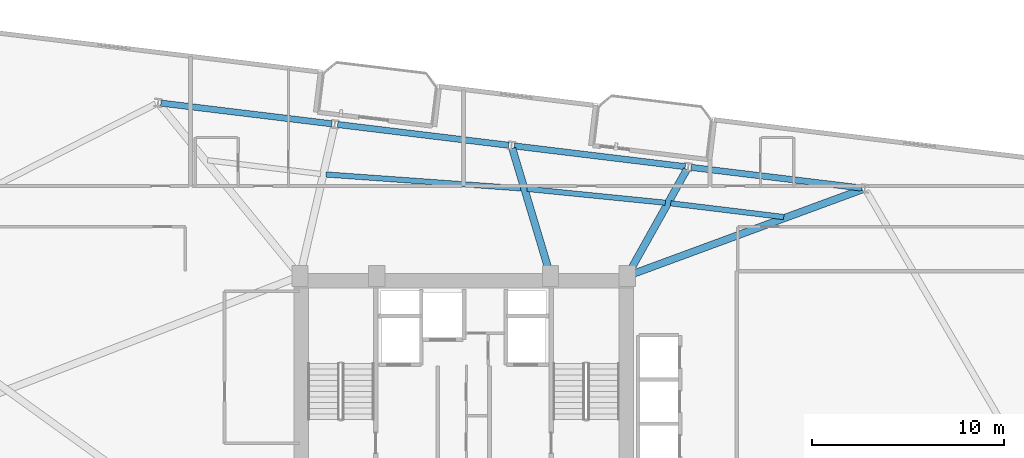
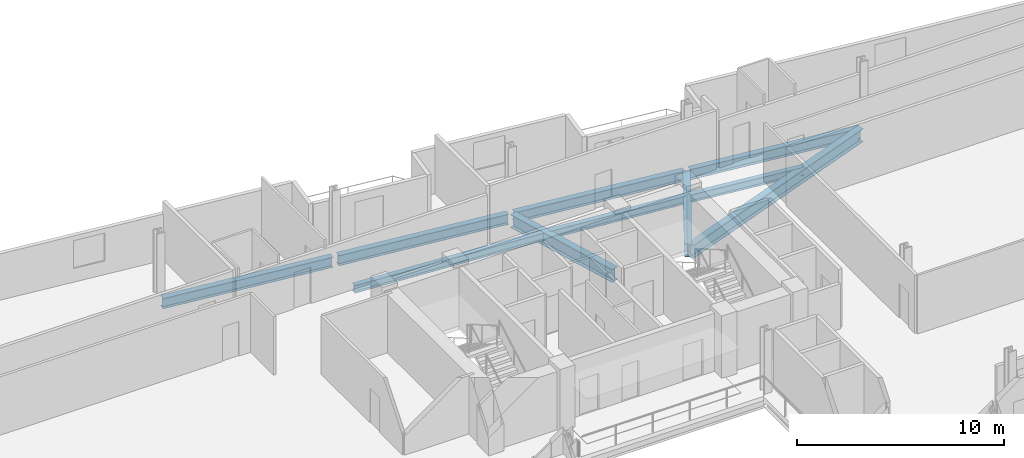
# One storey, part 13 of 26: 10 beams.
"""IFC4 building model written with IfcOpenShell, lengths in metres."""

import ifcopenshell
import ifcopenshell.guid

model = None  # the IFC model being written
_history = None  # IfcOwnerHistory: only IFC2X3 demands one
_inside = {}  # id of a spatial element -> (the spatial element, [elements in it])
_under = {}  # id of a project, library or spatial element -> (it, [spatial elements below it])
_declared = {}  # id of a project -> (the project, [libraries it declares])
_typed = {}  # id of a type object -> (the type object, [elements of that type])
_made_of = {}  # id of a material, layer set ... -> (it, [elements and type objects made of it])


def new_model(schema):
    """Start an empty IFC model of exactly this schema.

    Asked for "IFC4X3", IfcOpenShell would pick the latest addendum, in which some entities
    have other attributes; the version numbers below select the first issue.
    IFC2X3 requires an IfcOwnerHistory on every rooted entity: one is made here for all.
    """
    global model, _history
    if schema == "IFC4X3":
        model = ifcopenshell.file(schema_version=(4, 3, 0, 0))
    else:
        model = ifcopenshell.file(schema=schema)
    _inside.clear()
    _under.clear()
    _declared.clear()
    _typed.clear()
    _made_of.clear()
    _history = None
    if model.schema == "IFC2X3":
        org = make("IfcOrganization", Name="unknown")
        user = make(
            "IfcPersonAndOrganization",
            ThePerson=make("IfcPerson", FamilyName="unknown"),
            TheOrganization=org,
        )
        app = make(
            "IfcApplication",
            ApplicationDeveloper=org,
            Version="unknown",
            ApplicationFullName="unknown",
            ApplicationIdentifier="unknown",
        )
        _history = make(
            "IfcOwnerHistory",
            OwningUser=user,
            OwningApplication=app,
            ChangeAction="ADDED",
            CreationDate=0,
        )
    return model


def make(cls, **values):
    """One entity of the class cls with the attributes given. An attribute that is None is left unset."""
    return model.create_entity(
        cls, **{name: value for name, value in values.items() if value is not None}
    )


def rooted(cls, **values):
    """An entity with a GlobalId (a new one), such as an element, a storey or a relation."""
    return make(cls, GlobalId=ifcopenshell.guid.new(), OwnerHistory=_history, **values)


def si_unit(unit_type, name, prefix=None):
    """IfcSIUnit, for example si_unit("LENGTHUNIT", "METRE", prefix="MILLI")."""
    return make("IfcSIUnit", UnitType=unit_type, Prefix=prefix, Name=name)


def assignment(units):
    """IfcUnitAssignment: the units of a project."""
    return None if units is None else make("IfcUnitAssignment", Units=units)


def point(xyz):
    """IfcCartesianPoint."""
    return None if xyz is None else make("IfcCartesianPoint", Coordinates=xyz)


def direction(xyz):
    """IfcDirection."""
    return None if xyz is None else make("IfcDirection", DirectionRatios=xyz)


def frame(location, z_axis=None, x_axis=None):
    """IfcAxis2Placement3D, a coordinate frame: its origin and axes. An axis left out is left unset."""
    return make(
        "IfcAxis2Placement3D",
        Location=point(location),
        Axis=direction(z_axis),
        RefDirection=direction(x_axis),
    )


def frame_2d(location, x_axis=None):
    """IfcAxis2Placement2D, a coordinate frame in the plane: its origin and x axis."""
    return make(
        "IfcAxis2Placement2D", Location=point(location), RefDirection=direction(x_axis)
    )


def origin():
    """The frame at (0, 0, 0) with its axes left unset."""
    return frame((0.0, 0.0, 0.0))


def origin_2d():
    """The frame at (0, 0) in the plane with its x axis left unset."""
    return frame_2d((0.0, 0.0))


def place(relative_to, where):
    """IfcLocalPlacement: puts the frame where relative to a parent placement (None: the world)."""
    return make(
        "IfcLocalPlacement", PlacementRelTo=relative_to, RelativePlacement=where
    )


def context(
    kind, dimensions, precision=None, world=None, true_north=None, identifier=None
):
    """IfcGeometricRepresentationContext, for example the 3D "Model" context."""
    return make(
        "IfcGeometricRepresentationContext",
        ContextIdentifier=identifier,
        ContextType=kind,
        CoordinateSpaceDimension=dimensions,
        Precision=precision,
        WorldCoordinateSystem=world,
        TrueNorth=true_north,
    )


def subcontext(parent, identifier, kind, view, scale=None):
    """IfcGeometricRepresentationSubContext, for example "Body" below "Model"."""
    return make(
        "IfcGeometricRepresentationSubContext",
        ContextIdentifier=identifier,
        ContextType=kind,
        ParentContext=parent,
        TargetScale=scale,
        TargetView=view,
    )


def project(units=None, contexts=None):
    """IfcProject with its units and contexts."""
    return rooted(
        "IfcProject",
        Name="project",
        RepresentationContexts=contexts,
        UnitsInContext=assignment(units),
    )


def spatial(cls, under=None, at=None, **own):
    """A site, building, storey or space (cls), placed at a placement, below another one or the project."""
    s = rooted(cls, ObjectPlacement=at, **own)
    if under is not None:
        _under.setdefault(under.id(), (under, []))[1].append(s)
    return s


def profile(cls, at=None, kind="AREA", **sizes):
    """A parametric profile (cls). Its sizes go by their IFC names, for example OverallWidth=200.0."""
    return make(cls, ProfileType=kind, Position=at, **sizes)


def i_section(**sizes):
    """IfcIShapeProfileDef."""
    return profile("IfcIShapeProfileDef", **sizes)


def extrude(swept, where, along, depth):
    """IfcExtrudedAreaSolid: the profile swept, set in the frame where, extruded along a direction by depth."""
    return make(
        "IfcExtrudedAreaSolid",
        SweptArea=swept,
        Position=where,
        ExtrudedDirection=direction(along),
        Depth=depth,
    )


def shape(context_of_items, identifier, shape_type, items):
    """IfcShapeRepresentation: the items that make up one representation, for example the "Body"."""
    return make(
        "IfcShapeRepresentation",
        ContextOfItems=context_of_items,
        RepresentationIdentifier=identifier,
        RepresentationType=shape_type,
        Items=items,
    )


def material(Name=None, Category=None):
    """IfcMaterial."""
    return make("IfcMaterial", Name=Name, Category=Category)


def material_profile(
    of_material, cross_section, Name=None, Category=None, Priority=None
):
    """IfcMaterialProfile: a cross section and its material."""
    return make(
        "IfcMaterialProfile",
        Name=Name,
        Material=of_material,
        Profile=cross_section,
        Priority=Priority,
        Category=Category,
    )


def profile_set(profiles, Name=None, composite=None):
    """IfcMaterialProfileSet."""
    return make(
        "IfcMaterialProfileSet",
        Name=Name,
        MaterialProfiles=profiles,
        CompositeProfile=composite,
    )


def made_of(thing, what):
    """Note that an element or type object is made of a material, layer set ...; save() writes the relation."""
    if what is not None:
        _made_of.setdefault(what.id(), (what, []))[1].append(thing)
    return thing


def type_object(cls, material=None, **own):
    """A type object (cls), such as IfcWallType, which elements share."""
    return made_of(rooted(cls, **own), material)


def element(
    cls,
    number,
    at=None,
    inside=None,
    cuts=None,
    type_object=None,
    material=None,
    context=None,
    identifier="Body",
    shape_type=None,
    held_by="IfcProductDefinitionShape",
    body=None,
    shapes=None,
    **own,
):
    """One element of the class cls, such as IfcWall. Its Tag is "e" and its number.

    at: its placement. inside: the storey or other place that contains it. cuts: it is an
    opening in that element (IfcRelVoidsElement). A single representation is given by context,
    identifier, shape_type and body (its items); several are given by shapes. held_by: the class
    of the entity that holds the representations. save() writes the other relations.
    """
    e = rooted(cls, Tag="e%d" % number, ObjectPlacement=at, **own)
    if body is not None:
        shapes = [shape(context, identifier, shape_type, body)]
    if shapes is not None:
        e.Representation = make(held_by, Representations=shapes)
    if inside is not None:
        _inside.setdefault(inside.id(), (inside, []))[1].append(e)
    if cuts is not None:
        rooted(
            "IfcRelVoidsElement", RelatingBuildingElement=cuts, RelatedOpeningElement=e
        )
    if type_object is not None:
        _typed.setdefault(type_object.id(), (type_object, []))[1].append(e)
    return made_of(e, material)


def aggregate(whole, parts):
    """IfcRelAggregates: a whole, such as a stair, and the parts it consists of."""
    return rooted("IfcRelAggregates", RelatingObject=whole, RelatedObjects=parts)


def save(model, path):
    """Write the relations noted so far, then the file.

    IfcRelAggregates (storeys below a building ...), IfcRelContainedInSpatialStructure (elements
    in a storey), IfcRelDefinesByType, IfcRelAssociatesMaterial and IfcRelDeclares: one each for
    every whole, place, type object, material and project.
    """
    for whole, parts in _under.values():
        aggregate(whole, parts)
    for where, things in _inside.values():
        rooted(
            "IfcRelContainedInSpatialStructure",
            RelatedElements=things,
            RelatingStructure=where,
        )
    for kind, things in _typed.values():
        rooted("IfcRelDefinesByType", RelatedObjects=things, RelatingType=kind)
    for what, things in _made_of.values():
        rooted("IfcRelAssociatesMaterial", RelatedObjects=things, RelatingMaterial=what)
    for by, libraries in _declared.values():
        rooted("IfcRelDeclares", RelatingContext=by, RelatedDefinitions=libraries)
    model.write(path)


model = new_model("IFC4")

# Units and contexts
model_context = context("Model", 3, precision=1e-05, world=origin(), true_north=direction((0.0, 1.0)))
body_context = subcontext(model_context, "Body", "Model", "MODEL_VIEW")
ifc_project = project(units=[si_unit("LENGTHUNIT", "METRE"), si_unit("AREAUNIT", "SQUARE_METRE"), si_unit("VOLUMEUNIT", "CUBIC_METRE"), si_unit("PLANEANGLEUNIT", "RADIAN"), si_unit("MASSUNIT", "GRAM", prefix="KILO")], contexts=[model_context])

# Site, building, storey
site_placement = place(None, origin())
site = spatial("IfcSite", under=ifc_project, at=site_placement, CompositionType="ELEMENT")
building_placement = place(site_placement, origin())
building = spatial("IfcBuilding", under=site, at=building_placement, Name="Varnelok Gate Tower", CompositionType="ELEMENT")
storey_placement = place(building_placement, frame((0.0, 0.0, 151.300048828125)))
storey = spatial("IfcBuildingStorey", under=building, at=storey_placement, Name="L38", CompositionType="ELEMENT", Elevation=151.300048828125)

# Beams
ifc_material = material(Name="Structural Steel ASTM A992 Grade 50", Category="steel")
ifc_material_profile_1 = material_profile(ifc_material, i_section(OverallWidth=0.280029296875, OverallDepth=0.462890625, WebThickness=0.0107421875, FlangeThickness=0.017333984375, FilletRadius=0.014892578125, at=origin_2d()), Name="W18X76")
ifc_profile_set_1 = profile_set([ifc_material_profile_1], Name="Structural Steel ASTM A992 Grade 50")
beam_type_1 = type_object("IfcBeamType", Name="BM-JST-W18X76", PredefinedType="JOIST", material=ifc_profile_set_1)
beam_1_placement = place(storey_placement, frame((55.83837890625, 42.11767578125, -0.4814453125), z_axis=(-0.992736768693, 0.120306725023, 0.0), x_axis=(-0.120306725023, -0.992736768693, 0.0)))
element("IfcBeam", 1, at=beam_1_placement, inside=storey, type_object=beam_type_1, Name="L38 Sector Floor Joist 7", PredefinedType="JOIST", context=body_context, shape_type="SweptSolid", body=[
    extrude(i_section(OverallWidth=0.280029296875, OverallDepth=0.462890625, WebThickness=0.0107421875, FlangeThickness=0.017333984375, FilletRadius=0.014892578125, at=origin_2d()), origin(), (0.0, 0.0, 1.0), 5.91748046875),
])
beam_2_placement = place(storey_placement, frame((49.685546875, 42.860595703125, -0.4814453125), z_axis=(-0.995046890512, 0.099406668195, 0.0), x_axis=(-0.099406668195, -0.995046890512, 0.0)))
element("IfcBeam", 2, at=beam_2_placement, inside=storey, type_object=beam_type_1, Name="L38 Sector Floor Joist 8", PredefinedType="JOIST", context=body_context, shape_type="SweptSolid", body=[
    extrude(i_section(OverallWidth=0.280029296875, OverallDepth=0.462890625, WebThickness=0.0107421875, FlangeThickness=0.017333984375, FilletRadius=0.014892578125, at=origin_2d()), origin(), (0.0, 0.0, 1.0), 7.22314453125),
])
beam_3_placement = place(storey_placement, frame((42.219482421875, 43.602294921875, -0.4814453125), z_axis=(-0.997461008797, 0.071214717085, 0.0), x_axis=(-0.071214717085, -0.997461008797, 0.0)))
element("IfcBeam", 3, at=beam_3_placement, inside=storey, type_object=beam_type_1, Name="L38 Sector Floor Joist 9", PredefinedType="JOIST", context=body_context, shape_type="SweptSolid", body=[
    extrude(i_section(OverallWidth=0.280029296875, OverallDepth=0.462890625, WebThickness=0.0107421875, FlangeThickness=0.017333984375, FilletRadius=0.014892578125, at=origin_2d()), origin(), (0.0, 0.0, 1.0), 10.195556640625),
])
ifc_material_profile_2 = material_profile(ifc_material, i_section(OverallWidth=0.381103515625, OverallDepth=0.77294921875, WebThickness=0.0166015625, FlangeThickness=0.027099609375, FilletRadius=0.02197265625, at=origin_2d()), Name="W30X173")
ifc_profile_set_2 = profile_set([ifc_material_profile_2], Name="Structural Steel ASTM A992 Grade 50")
beam_type_2 = type_object("IfcBeamType", Name="BM-PRI-W30X173", PredefinedType="BEAM", material=ifc_profile_set_2)
beam_4_placement = place(storey_placement, frame((47.8408203125, 39.101806640625, -0.636474609375), z_axis=(0.938296458402, 0.345831976761, 0.0), x_axis=(-0.345831976761, 0.938296458402, 0.0)))
element("IfcBeam", 4, at=beam_4_placement, inside=storey, type_object=beam_type_2, Name="L38 Radial Floor Girder 9", PredefinedType="BEAM", context=body_context, shape_type="SweptSolid", body=[
    extrude(i_section(OverallWidth=0.381103515625, OverallDepth=0.77294921875, WebThickness=0.0166015625, FlangeThickness=0.027099609375, FilletRadius=0.02197265625, at=origin_2d()), origin(), (0.0, 0.0, 1.0), 12.86669921875),
])
beam_5_placement = place(storey_placement, frame((47.773193359375, 39.180908203125, -0.636474609375), z_axis=(0.48838490004, 0.872628322605, 0.0), x_axis=(-0.872628322605, 0.48838490004, 0.0)))
element("IfcBeam", 5, at=beam_5_placement, inside=storey, type_object=beam_type_2, Name="L38 Radial Floor Girder 10", PredefinedType="BEAM", context=body_context, shape_type="SweptSolid", body=[
    extrude(i_section(OverallWidth=0.381103515625, OverallDepth=0.77294921875, WebThickness=0.0166015625, FlangeThickness=0.027099609375, FilletRadius=0.02197265625, at=origin_2d()), origin(), (0.0, 0.0, 1.0), 6.193603515625),
])
beam_6_placement = place(storey_placement, frame((43.677001953125, 39.193603515625, -0.636474609375), z_axis=(-0.28702069947, 0.957924380145, 0.0), x_axis=(-0.957924380145, -0.28702069947, 0.0)))
element("IfcBeam", 6, at=beam_6_placement, inside=storey, type_object=beam_type_2, Name="L38 Radial Floor Girder 11", PredefinedType="BEAM", context=body_context, shape_type="SweptSolid", body=[
    extrude(i_section(OverallWidth=0.381103515625, OverallDepth=0.77294921875, WebThickness=0.0166015625, FlangeThickness=0.027099609375, FilletRadius=0.02197265625, at=origin_2d()), origin(), (0.0, 0.0, 1.0), 6.777587890625),
])
ifc_material_profile_3 = material_profile(ifc_material, i_section(OverallWidth=0.323974609375, OverallDepth=0.611083984375, WebThickness=0.0126953125, FlangeThickness=0.01904296875, FilletRadius=0.01806640625, at=origin_2d()), Name="W24X104")
ifc_profile_set_3 = profile_set([ifc_material_profile_3], Name="Structural Steel ASTM A992 Grade 50")
beam_type_3 = type_object("IfcBeamType", Name="BM-SPN-W24X104", PredefinedType="SPANDREL", material=ifc_profile_set_3)
for number, where, z_axis, x_axis, name in (
    (7, (59.905517578125, 43.621337890625, -0.5556640625), (-0.99273141198, 0.120350918849, 0.0), (-0.120350918849, -0.99273141198, 0.0), "L38 Perimeter Spandrel Beam 9"),
    (8, (50.72265625, 44.734619140625, -0.5556640625), (-0.992734670707, 0.120324035735, 0.0), (-0.120324035735, -0.992734670707, 0.0), "L38 Perimeter Spandrel Beam 10"),
    (9, (41.539794921875, 45.847900390625, -0.5556640625), (-0.992734670707, 0.120324035735, 0.0), (-0.120324035735, -0.992734670707, 0.0), "L38 Perimeter Spandrel Beam 11"),
    (10, (32.357177734375, 46.9609375, -0.5556640625), (-0.99273141198, 0.120350918849, 0.0), (-0.120350918849, -0.99273141198, 0.0), "L38 Perimeter Spandrel Beam 12"),
):
    element("IfcBeam", number, at=place(storey_placement, frame(where, z_axis=z_axis, x_axis=x_axis)), inside=storey, type_object=beam_type_3, Name=name, PredefinedType="SPANDREL", context=body_context, shape_type="SweptSolid", body=[
        extrude(i_section(OverallWidth=0.323974609375, OverallDepth=0.611083984375, WebThickness=0.0126953125, FlangeThickness=0.01904296875, FilletRadius=0.01806640625, at=origin_2d()), origin(), (0.0, 0.0, 1.0), 8.949951171875),
    ])

save(model, "model.ifc")
